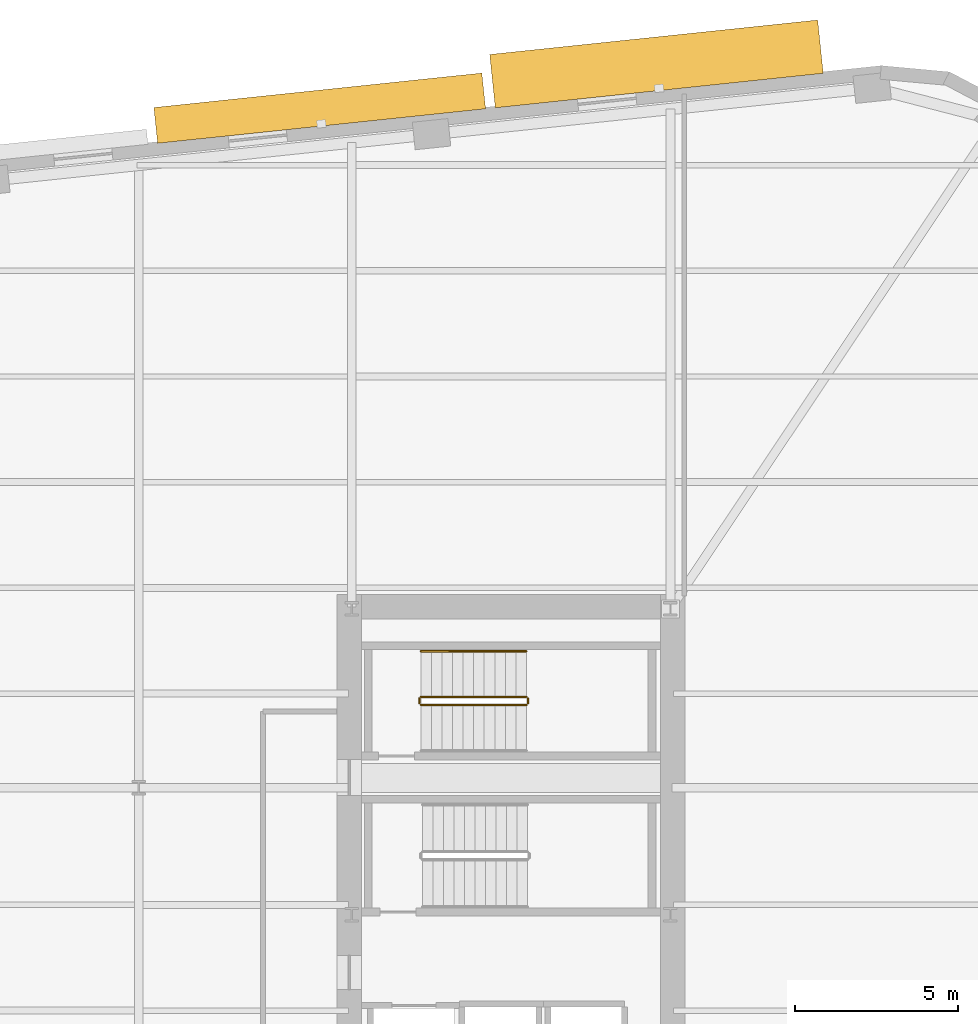
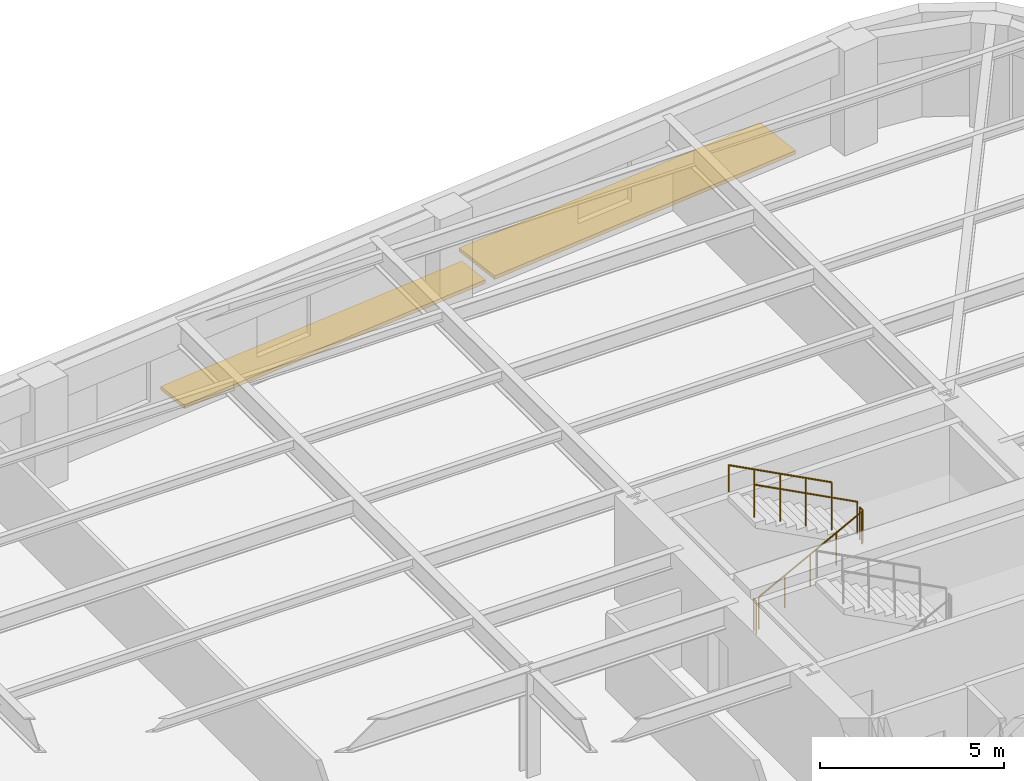
# One storey, part 12 of 12: 5 railings, 2 shading devices.
"""IFC4 building model written with IfcOpenShell, lengths in metres."""

from ifc_helpers import new_model, si_unit, direction, frame, origin, origin_2d, place, context, subcontext, project, spatial, rectangle, circle, extrude, material, type_object, element, save


model = new_model("IFC4")

# Units and contexts
model_context = context("Model", 3, precision=1e-05, world=origin(), true_north=direction((0.0, 1.0)))
body_context = subcontext(model_context, "Body", "Model", "MODEL_VIEW")
ifc_project = project(units=[si_unit("LENGTHUNIT", "METRE"), si_unit("AREAUNIT", "SQUARE_METRE"), si_unit("VOLUMEUNIT", "CUBIC_METRE"), si_unit("PLANEANGLEUNIT", "RADIAN"), si_unit("MASSUNIT", "GRAM", prefix="KILO")], contexts=[model_context])

# Site, building, storey
site_placement = place(None, origin())
site = spatial("IfcSite", under=ifc_project, at=site_placement, CompositionType="ELEMENT")
building_placement = place(site_placement, origin())
building = spatial("IfcBuilding", under=site, at=building_placement, Name="Kolvaren Arena Tower", CompositionType="ELEMENT")
storey_placement = place(building_placement, frame((0.0, 0.0, 110.949951171875)))
storey = spatial("IfcBuildingStorey", under=building, at=storey_placement, Name="L25", CompositionType="ELEMENT", Elevation=110.949951171875)

# Railings
ifc_material_1 = material(Name="Painted galvanized steel", Category="steel")
railing_type_1 = type_object("IfcRailingType", Name="GUARD-ST-110", PredefinedType="GUARDRAIL", material=ifc_material_1)
railing_1_placement = place(storey_placement, frame((52.679931640625, 36.39990234375, 0.17041015625)))
element("IfcRailing", 1, at=railing_1_placement, inside=storey, type_object=railing_type_1, Name="L25 ST-E2 stair guard 1", PredefinedType="GUARDRAIL", context=body_context, shape_type="SweptSolid", body=[
    extrude(circle(Radius=0.02392578125, at=origin_2d()), frame((0.0, 0.0, 1.076171875), z_axis=(0.884993431791, 0.0, 0.465603506952), x_axis=(0.0, 1.0, 0.0)), (0.0, 0.0, 1.0), 3.6611328125),
    extrude(circle(Radius=0.02099609375, at=origin_2d()), origin(), (0.0, 0.0, 1.0), 1.052001953125),
    extrude(circle(Radius=0.02099609375, at=origin_2d()), frame((0.81005859375, 0.0, 0.42626953125)), (0.0, 0.0, 1.0), 1.052001953125),
    extrude(circle(Radius=0.02099609375, at=origin_2d()), frame((1.6201171875, 0.0, 0.852294921875)), (0.0, 0.0, 1.0), 1.052001953125),
    extrude(circle(Radius=0.02099609375, at=origin_2d()), frame((2.429931640625, 0.0, 1.2783203125)), (0.0, 0.0, 1.0), 1.052001953125),
    extrude(circle(Radius=0.02099609375, at=origin_2d()), frame((3.239990234375, 0.0, 1.70458984375)), (0.0, 0.0, 1.0), 1.052001953125),
])
railing_2_placement = place(storey_placement, frame((55.969970703125, 36.449951171875, 1.875)))
element("IfcRailing", 2, at=railing_2_placement, inside=storey, type_object=railing_type_1, Name="L25 ST-E2 stair guard 2", PredefinedType="GUARDRAIL", context=body_context, shape_type="SweptSolid", body=[
    extrude(circle(Radius=0.02392578125, at=origin_2d()), frame((0.0, 0.0, 1.076171875), z_axis=(0.0, 1.0, 0.0), x_axis=(-1.0, 0.0, 0.0)), (0.0, 0.0, 1.0), 0.150146484375),
    extrude(circle(Radius=0.02099609375, at=origin_2d()), origin(), (0.0, 0.0, 1.0), 1.052001953125),
    extrude(circle(Radius=0.02099609375, at=origin_2d()), frame((0.0, 0.150146484375, 0.0)), (0.0, 0.0, 1.0), 1.052001953125),
])
railing_3_placement = place(storey_placement, frame((55.919921875, 36.64990234375, 2.04541015625)))
element("IfcRailing", 3, at=railing_3_placement, inside=storey, type_object=railing_type_1, Name="L25 ST-E2 stair guard 3", PredefinedType="GUARDRAIL", context=body_context, shape_type="SweptSolid", body=[
    extrude(circle(Radius=0.02392578125, at=origin_2d()), frame((0.0, 0.0, 1.076171875), z_axis=(-0.884993431791, 0.0, 0.465603506952), x_axis=(0.0, -1.0, 0.0)), (0.0, 0.0, 1.0), 3.6611328125),
    extrude(circle(Radius=0.02099609375, at=origin_2d()), origin(), (0.0, 0.0, 1.0), 1.052001953125),
    extrude(circle(Radius=0.02099609375, at=origin_2d()), frame((-0.81005859375, 0.0, 0.42626953125)), (0.0, 0.0, 1.0), 1.052001953125),
    extrude(circle(Radius=0.02099609375, at=origin_2d()), frame((-1.6201171875, 0.0, 0.852294921875)), (0.0, 0.0, 1.0), 1.052001953125),
    extrude(circle(Radius=0.02099609375, at=origin_2d()), frame((-2.429931640625, 0.0, 1.2783203125)), (0.0, 0.0, 1.0), 1.052001953125),
    extrude(circle(Radius=0.02099609375, at=origin_2d()), frame((-3.239990234375, 0.0, 1.70458984375)), (0.0, 0.0, 1.0), 1.052001953125),
])
railing_4_placement = place(storey_placement, frame((52.6298828125, 36.449951171875, 0.0)))
element("IfcRailing", 4, at=railing_4_placement, inside=storey, type_object=railing_type_1, Name="L25 ST-E2 stair guard 4", PredefinedType="GUARDRAIL", context=body_context, shape_type="SweptSolid", body=[
    extrude(circle(Radius=0.02392578125, at=origin_2d()), frame((0.0, 0.0, 1.076171875), z_axis=(0.0, 1.0, 0.0), x_axis=(-1.0, 0.0, 0.0)), (0.0, 0.0, 1.0), 0.150146484375),
    extrude(circle(Radius=0.02099609375, at=origin_2d()), origin(), (0.0, 0.0, 1.0), 1.052001953125),
    extrude(circle(Radius=0.02099609375, at=origin_2d()), frame((0.0, 0.150146484375, 0.0)), (0.0, 0.0, 1.0), 1.052001953125),
])
ifc_material_2 = material(Name="Brushed stainless steel handrail", Category="steel")
railing_type_2 = type_object("IfcRailingType", Name="HRAIL-900", PredefinedType="HANDRAIL", material=ifc_material_2)
railing_5_placement = place(storey_placement, frame((55.919921875, 38.050048828125, 2.04541015625)))
element("IfcRailing", 5, at=railing_5_placement, inside=storey, type_object=railing_type_2, Name="L25 ST-E2 stair handrail 2", PredefinedType="HANDRAIL", context=body_context, shape_type="SweptSolid", body=[
    extrude(circle(Radius=0.02392578125, at=origin_2d()), frame((0.0, 0.0, 0.8759765625), z_axis=(-0.884993431791, 0.0, 0.465603506952), x_axis=(0.0, -1.0, 0.0)), (0.0, 0.0, 1.0), 3.6611328125),
    extrude(circle(Radius=0.02099609375, at=origin_2d()), origin(), (0.0, 0.0, 1.0), 0.851806640625),
    extrude(circle(Radius=0.02099609375, at=origin_2d()), frame((-0.81005859375, 0.0, 0.42626953125)), (0.0, 0.0, 1.0), 0.851806640625),
    extrude(circle(Radius=0.02099609375, at=origin_2d()), frame((-1.6201171875, 0.0, 0.852294921875)), (0.0, 0.0, 1.0), 0.851806640625),
    extrude(circle(Radius=0.02099609375, at=origin_2d()), frame((-2.429931640625, 0.0, 1.2783203125)), (0.0, 0.0, 1.0), 0.851806640625),
    extrude(circle(Radius=0.02099609375, at=origin_2d()), frame((-3.239990234375, 0.0, 1.70458984375)), (0.0, 0.0, 1.0), 0.851806640625),
])

# Shading devices
ifc_material_3 = material(Name="Architectural precast GFRC and anodised aluminium sunshade", Category="concrete")
shading_device_type_1 = type_object("IfcShadingDeviceType", Name="SHAD-SINE-A", PredefinedType="USERDEFINED", material=ifc_material_3)
shading_device_1_placement = place(storey_placement, frame((49.56640625, 54.74951171875, -0.139892578125), z_axis=(0.0, 0.0, 1.0), x_axis=(0.994522077803, 0.104526727499, 0.0)))
element("IfcShadingDevice", 6, at=shading_device_1_placement, inside=storey, type_object=shading_device_type_1, Name="Sinusoidal Slab-Edge Sunshade Louvre (L25)", ObjectType="LOUVRE", PredefinedType="USERDEFINED", context=body_context, shape_type="SweptSolid", body=[
    extrude(rectangle(XDim=10.139892578125, YDim=1.106201171875, at=origin_2d()), origin(), (0.0, 0.0, 1.0), 0.1201171875),
])
shading_device_type_2 = type_object("IfcShadingDeviceType", Name="SHAD-SINE-B", PredefinedType="JALOUSIE", material=ifc_material_3)
shading_device_2_placement = place(storey_placement, frame((59.9208984375, 56.11083984375, -0.139892578125), z_axis=(0.0, 0.0, 1.0), x_axis=(0.994522077803, 0.104526727499, 0.0)))
element("IfcShadingDevice", 7, at=shading_device_2_placement, inside=storey, type_object=shading_device_type_2, Name="Sinusoidal Slab-Edge Sunshade Louvre (L25)", PredefinedType="JALOUSIE", context=body_context, shape_type="SweptSolid", body=[
    extrude(rectangle(XDim=10.139892578125, YDim=1.649658203125, at=origin_2d()), origin(), (0.0, 0.0, 1.0), 0.1201171875),
])

save(model, "model.ifc")
